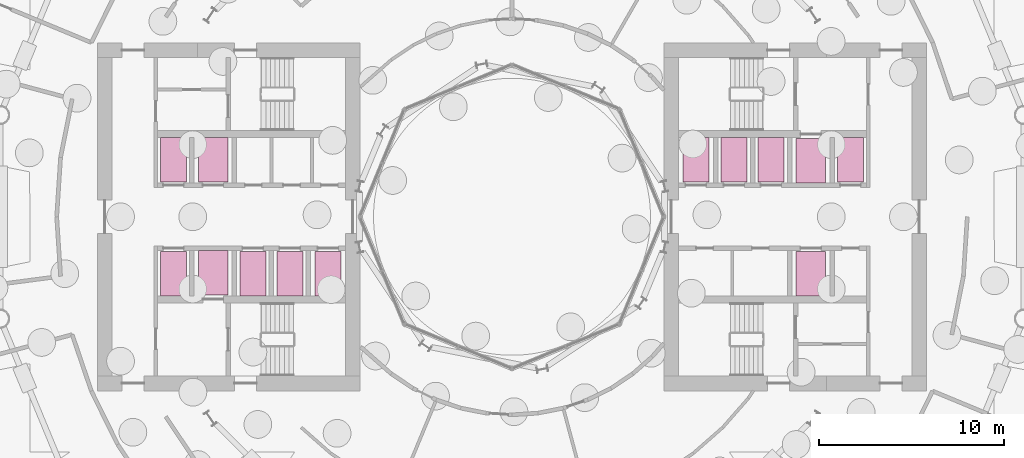
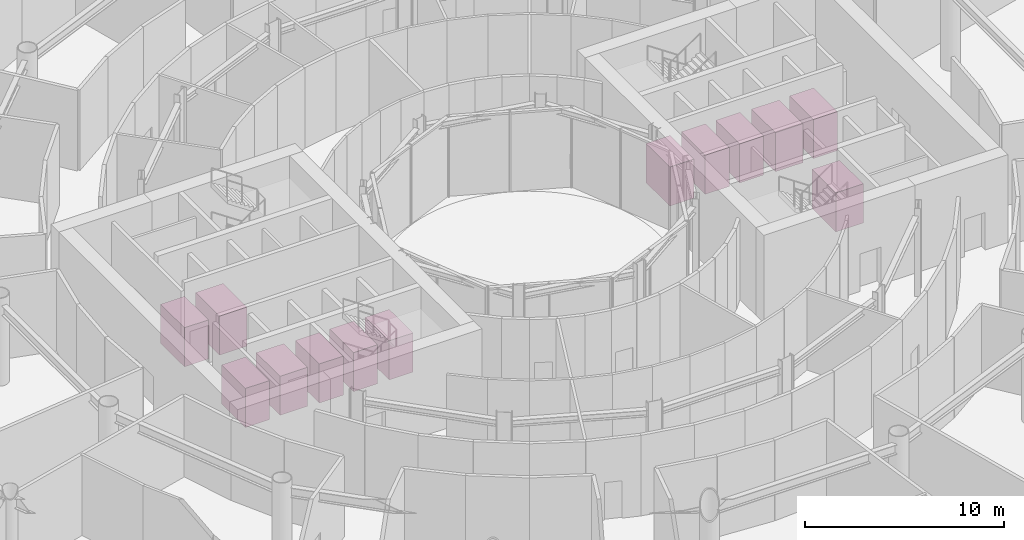
# One storey, part 41 of 41: 13 transport elements.
"""IFC4 building model written with IfcOpenShell, lengths in metres."""

import ifcopenshell
import ifcopenshell.guid

model = None  # the IFC model being written
_history = None  # IfcOwnerHistory: only IFC2X3 demands one
_inside = {}  # id of a spatial element -> (the spatial element, [elements in it])
_under = {}  # id of a project, library or spatial element -> (it, [spatial elements below it])
_declared = {}  # id of a project -> (the project, [libraries it declares])
_typed = {}  # id of a type object -> (the type object, [elements of that type])
_made_of = {}  # id of a material, layer set ... -> (it, [elements and type objects made of it])


def new_model(schema):
    """Start an empty IFC model of exactly this schema.

    Asked for "IFC4X3", IfcOpenShell would pick the latest addendum, in which some entities
    have other attributes; the version numbers below select the first issue.
    IFC2X3 requires an IfcOwnerHistory on every rooted entity: one is made here for all.
    """
    global model, _history
    if schema == "IFC4X3":
        model = ifcopenshell.file(schema_version=(4, 3, 0, 0))
    else:
        model = ifcopenshell.file(schema=schema)
    _inside.clear()
    _under.clear()
    _declared.clear()
    _typed.clear()
    _made_of.clear()
    _history = None
    if model.schema == "IFC2X3":
        org = make("IfcOrganization", Name="unknown")
        user = make(
            "IfcPersonAndOrganization",
            ThePerson=make("IfcPerson", FamilyName="unknown"),
            TheOrganization=org,
        )
        app = make(
            "IfcApplication",
            ApplicationDeveloper=org,
            Version="unknown",
            ApplicationFullName="unknown",
            ApplicationIdentifier="unknown",
        )
        _history = make(
            "IfcOwnerHistory",
            OwningUser=user,
            OwningApplication=app,
            ChangeAction="ADDED",
            CreationDate=0,
        )
    return model


def make(cls, **values):
    """One entity of the class cls with the attributes given. An attribute that is None is left unset."""
    return model.create_entity(
        cls, **{name: value for name, value in values.items() if value is not None}
    )


def rooted(cls, **values):
    """An entity with a GlobalId (a new one), such as an element, a storey or a relation."""
    return make(cls, GlobalId=ifcopenshell.guid.new(), OwnerHistory=_history, **values)


def si_unit(unit_type, name, prefix=None):
    """IfcSIUnit, for example si_unit("LENGTHUNIT", "METRE", prefix="MILLI")."""
    return make("IfcSIUnit", UnitType=unit_type, Prefix=prefix, Name=name)


def assignment(units):
    """IfcUnitAssignment: the units of a project."""
    return None if units is None else make("IfcUnitAssignment", Units=units)


def point(xyz):
    """IfcCartesianPoint."""
    return None if xyz is None else make("IfcCartesianPoint", Coordinates=xyz)


def direction(xyz):
    """IfcDirection."""
    return None if xyz is None else make("IfcDirection", DirectionRatios=xyz)


def frame(location, z_axis=None, x_axis=None):
    """IfcAxis2Placement3D, a coordinate frame: its origin and axes. An axis left out is left unset."""
    return make(
        "IfcAxis2Placement3D",
        Location=point(location),
        Axis=direction(z_axis),
        RefDirection=direction(x_axis),
    )


def frame_2d(location, x_axis=None):
    """IfcAxis2Placement2D, a coordinate frame in the plane: its origin and x axis."""
    return make(
        "IfcAxis2Placement2D", Location=point(location), RefDirection=direction(x_axis)
    )


def origin():
    """The frame at (0, 0, 0) with its axes left unset."""
    return frame((0.0, 0.0, 0.0))


def origin_2d():
    """The frame at (0, 0) in the plane with its x axis left unset."""
    return frame_2d((0.0, 0.0))


def place(relative_to, where):
    """IfcLocalPlacement: puts the frame where relative to a parent placement (None: the world)."""
    return make(
        "IfcLocalPlacement", PlacementRelTo=relative_to, RelativePlacement=where
    )


def context(
    kind, dimensions, precision=None, world=None, true_north=None, identifier=None
):
    """IfcGeometricRepresentationContext, for example the 3D "Model" context."""
    return make(
        "IfcGeometricRepresentationContext",
        ContextIdentifier=identifier,
        ContextType=kind,
        CoordinateSpaceDimension=dimensions,
        Precision=precision,
        WorldCoordinateSystem=world,
        TrueNorth=true_north,
    )


def subcontext(parent, identifier, kind, view, scale=None):
    """IfcGeometricRepresentationSubContext, for example "Body" below "Model"."""
    return make(
        "IfcGeometricRepresentationSubContext",
        ContextIdentifier=identifier,
        ContextType=kind,
        ParentContext=parent,
        TargetScale=scale,
        TargetView=view,
    )


def project(units=None, contexts=None):
    """IfcProject with its units and contexts."""
    return rooted(
        "IfcProject",
        Name="project",
        RepresentationContexts=contexts,
        UnitsInContext=assignment(units),
    )


def spatial(cls, under=None, at=None, **own):
    """A site, building, storey or space (cls), placed at a placement, below another one or the project."""
    s = rooted(cls, ObjectPlacement=at, **own)
    if under is not None:
        _under.setdefault(under.id(), (under, []))[1].append(s)
    return s


def profile(cls, at=None, kind="AREA", **sizes):
    """A parametric profile (cls). Its sizes go by their IFC names, for example OverallWidth=200.0."""
    return make(cls, ProfileType=kind, Position=at, **sizes)


def rectangle(**sizes):
    """IfcRectangleProfileDef."""
    return profile("IfcRectangleProfileDef", **sizes)


def extrude(swept, where, along, depth):
    """IfcExtrudedAreaSolid: the profile swept, set in the frame where, extruded along a direction by depth."""
    return make(
        "IfcExtrudedAreaSolid",
        SweptArea=swept,
        Position=where,
        ExtrudedDirection=direction(along),
        Depth=depth,
    )


def shape(context_of_items, identifier, shape_type, items):
    """IfcShapeRepresentation: the items that make up one representation, for example the "Body"."""
    return make(
        "IfcShapeRepresentation",
        ContextOfItems=context_of_items,
        RepresentationIdentifier=identifier,
        RepresentationType=shape_type,
        Items=items,
    )


def material(Name=None, Category=None):
    """IfcMaterial."""
    return make("IfcMaterial", Name=Name, Category=Category)


def made_of(thing, what):
    """Note that an element or type object is made of a material, layer set ...; save() writes the relation."""
    if what is not None:
        _made_of.setdefault(what.id(), (what, []))[1].append(thing)
    return thing


def type_object(cls, material=None, **own):
    """A type object (cls), such as IfcWallType, which elements share."""
    return made_of(rooted(cls, **own), material)


def element(
    cls,
    number,
    at=None,
    inside=None,
    cuts=None,
    type_object=None,
    material=None,
    context=None,
    identifier="Body",
    shape_type=None,
    held_by="IfcProductDefinitionShape",
    body=None,
    shapes=None,
    **own,
):
    """One element of the class cls, such as IfcWall. Its Tag is "e" and its number.

    at: its placement. inside: the storey or other place that contains it. cuts: it is an
    opening in that element (IfcRelVoidsElement). A single representation is given by context,
    identifier, shape_type and body (its items); several are given by shapes. held_by: the class
    of the entity that holds the representations. save() writes the other relations.
    """
    e = rooted(cls, Tag="e%d" % number, ObjectPlacement=at, **own)
    if body is not None:
        shapes = [shape(context, identifier, shape_type, body)]
    if shapes is not None:
        e.Representation = make(held_by, Representations=shapes)
    if inside is not None:
        _inside.setdefault(inside.id(), (inside, []))[1].append(e)
    if cuts is not None:
        rooted(
            "IfcRelVoidsElement", RelatingBuildingElement=cuts, RelatedOpeningElement=e
        )
    if type_object is not None:
        _typed.setdefault(type_object.id(), (type_object, []))[1].append(e)
    return made_of(e, material)


def aggregate(whole, parts):
    """IfcRelAggregates: a whole, such as a stair, and the parts it consists of."""
    return rooted("IfcRelAggregates", RelatingObject=whole, RelatedObjects=parts)


def save(model, path):
    """Write the relations noted so far, then the file.

    IfcRelAggregates (storeys below a building ...), IfcRelContainedInSpatialStructure (elements
    in a storey), IfcRelDefinesByType, IfcRelAssociatesMaterial and IfcRelDeclares: one each for
    every whole, place, type object, material and project.
    """
    for whole, parts in _under.values():
        aggregate(whole, parts)
    for where, things in _inside.values():
        rooted(
            "IfcRelContainedInSpatialStructure",
            RelatedElements=things,
            RelatingStructure=where,
        )
    for kind, things in _typed.values():
        rooted("IfcRelDefinesByType", RelatedObjects=things, RelatingType=kind)
    for what, things in _made_of.values():
        rooted("IfcRelAssociatesMaterial", RelatedObjects=things, RelatingMaterial=what)
    for by, libraries in _declared.values():
        rooted("IfcRelDeclares", RelatingContext=by, RelatedDefinitions=libraries)
    model.write(path)


model = new_model("IFC4")

# Units and contexts
model_context = context("Model", 3, precision=1e-05, world=origin(), true_north=direction((0.0, 1.0)))
body_context = subcontext(model_context, "Body", "Model", "MODEL_VIEW")
ifc_project = project(units=[si_unit("LENGTHUNIT", "METRE"), si_unit("AREAUNIT", "SQUARE_METRE"), si_unit("VOLUMEUNIT", "CUBIC_METRE"), si_unit("PLANEANGLEUNIT", "RADIAN"), si_unit("MASSUNIT", "GRAM", prefix="KILO")], contexts=[model_context])

# Site, building, storey
site_placement = place(None, origin())
site = spatial("IfcSite", under=ifc_project, at=site_placement, CompositionType="ELEMENT")
building_placement = place(site_placement, origin())
building = spatial("IfcBuilding", under=site, at=building_placement, Name="Maasbend Ring Residences", CompositionType="ELEMENT")
storey_placement = place(building_placement, origin())
storey = spatial("IfcBuildingStorey", under=building, at=storey_placement, Name="L00", CompositionType="ELEMENT", Elevation=0.0)

# Transport elements
ifc_material_1 = material(Name="Stainless steel 316", Category="steel")
transport_element_type_1 = type_object("IfcTransportElementType", Name="LIFT CAR 1400 X 2400 1600 KG", PredefinedType="ELEVATOR", material=ifc_material_1)
for number, where, z_axis, x_axis, name in (
    (1, (9.9375, 3.074951171875, 0.0), (0.0, 0.0, 1.0), (1.0, 0.0, 0.0), "Lift LR-E1 car"),
    (2, (12.0, 3.074951171875, 0.0), (0.0, 0.0, 1.0), (1.0, 0.0, 0.0), "Lift LR-E2 car"),
    (3, (14.0, 3.074951171875, 0.0), (0.0, 0.0, 1.0), (1.0, 0.0, 0.0), "Lift LR-E3 car"),
    (4, (18.28759765625, 3.074951171875, 0.0), (0.0, 0.0, 1.0), (1.0, 0.0, 0.0), "Lift SH-E car"),
    (5, (-9.9375, -3.074951171875, 0.0), (0.0, 0.0, 1.0), (1.0, 0.0, 0.0), "Lift LR-W1 car"),
    (6, (-12.0, -3.074951171875, 0.0), (0.0, 0.0, 1.0), (1.0, 0.0, 0.0), "Lift LR-W2 car"),
    (7, (-14.0, -3.074951171875, 0.0), (0.0, 0.0, 1.0), (1.0, 0.0, 0.0), "Lift LR-W3 car"),
    (8, (-18.28759765625, -3.074951171875, 0.0), (0.0, 0.0, 1.0), (1.0, 0.0, 0.0), "Lift SH-W car"),
    (9, (-18.28759765625, 3.074951171875, 0.0), (0.0, 0.0, 1.0), (1.0, 0.0, 0.0), "Lift OB-W car"),
):
    element("IfcTransportElement", number, at=place(storey_placement, frame(where, z_axis=z_axis, x_axis=x_axis)), inside=storey, type_object=transport_element_type_1, Name=name, PredefinedType="ELEVATOR", context=body_context, shape_type="SweptSolid", body=[
        extrude(rectangle(XDim=1.39990234375, YDim=2.39990234375, at=origin_2d()), origin(), (0.0, 0.0, 1.0), 2.39990234375),
    ])
ifc_material_2 = material(Name="Stainless steel 316", Category="steel")
transport_element_type_2 = type_object("IfcTransportElementType", Name="LIFT CAR 1600 X 2400 1800 KG", PredefinedType="ELEVATOR", material=ifc_material_2)
for number, where, z_axis, x_axis, name in (
    (10, (16.14990234375, 3.02490234375, 0.0), (0.0, 0.0, 1.0), (1.0, 0.0, 0.0), "Lift FF-E car"),
    (11, (16.14990234375, -3.074951171875, 0.0), (0.0, 0.0, 1.0), (1.0, 0.0, 0.0), "Lift SV-E car"),
    (12, (-16.14990234375, -3.02490234375, 0.0), (0.0, 0.0, 1.0), (1.0, 0.0, 0.0), "Lift FF-W car"),
    (13, (-16.14990234375, 3.074951171875, 0.0), (0.0, 0.0, 1.0), (1.0, 0.0, 0.0), "Lift SV-W car"),
):
    element("IfcTransportElement", number, at=place(storey_placement, frame(where, z_axis=z_axis, x_axis=x_axis)), inside=storey, type_object=transport_element_type_2, Name=name, PredefinedType="ELEVATOR", context=body_context, shape_type="SweptSolid", body=[
        extrude(rectangle(XDim=1.60009765625, YDim=2.39990234375, at=origin_2d()), origin(), (0.0, 0.0, 1.0), 2.39990234375),
    ])

save(model, "model.ifc")
